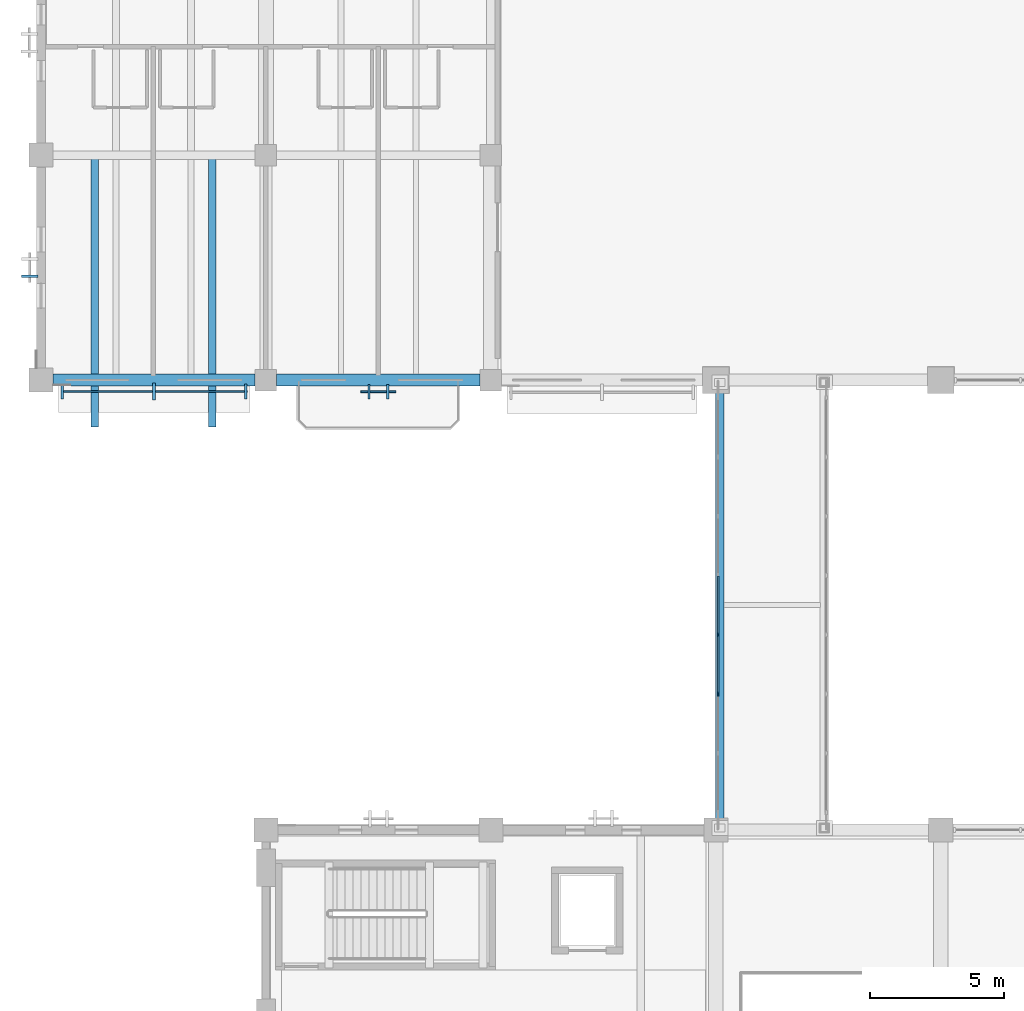
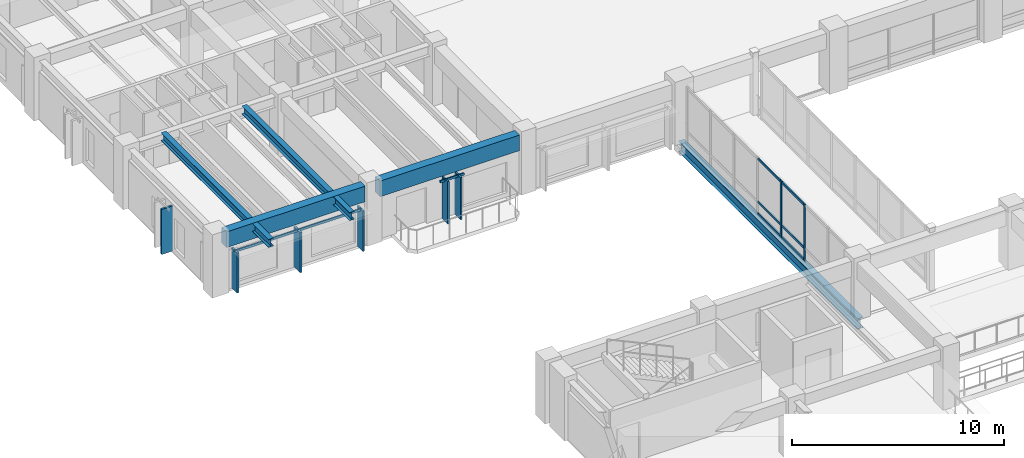
# One storey, part 27 of 118: 16 members, 5 beams, 4 elements without a shape of their own.
"""IFC4 building model written with IfcOpenShell, lengths in metres."""

from ifc_helpers import new_model, si_unit, direction, frame, origin, origin_2d, place, context, subcontext, project, spatial, rectangle, i_section, extrude, material, material_profile, profile_set, type_object, element, aggregate, save


model = new_model("IFC4")

# Units and contexts
model_context = context("Model", 3, precision=1e-05, world=origin(), true_north=direction((0.0, 1.0)))
body_context = subcontext(model_context, "Body", "Model", "MODEL_VIEW")
ifc_project = project(units=[si_unit("LENGTHUNIT", "METRE"), si_unit("AREAUNIT", "SQUARE_METRE"), si_unit("VOLUMEUNIT", "CUBIC_METRE"), si_unit("PLANEANGLEUNIT", "RADIAN"), si_unit("MASSUNIT", "GRAM", prefix="KILO")], contexts=[model_context])

# Site, building, storey
site_placement = place(None, origin())
site = spatial("IfcSite", under=ifc_project, at=site_placement, CompositionType="ELEMENT")
building_placement = place(site_placement, origin())
building = spatial("IfcBuilding", under=site, at=building_placement, Name="Cumbredor Promenade Congress Hotel", CompositionType="ELEMENT")
storey_placement = place(building_placement, frame((0.0, 0.0, 3.919921875)))
storey = spatial("IfcBuildingStorey", under=building, at=storey_placement, Name="L01", CompositionType="ELEMENT", Elevation=3.919921875)

# Beam
ifc_material_1 = material(Name="Steel ASTM A992 Grade 50", Category="steel")
ifc_material_profile_1 = material_profile(ifc_material_1, i_section(OverallWidth=0.323974609375, OverallDepth=0.611083984375, WebThickness=0.0126953125, FlangeThickness=0.01904296875, at=origin_2d()), Name="W24X104")
ifc_profile_set_1 = profile_set([ifc_material_profile_1], Name="Steel ASTM A992 Grade 50")
beam_type_1 = type_object("IfcBeamType", Name="BM-W24X104", PredefinedType="BEAM", material=ifc_profile_set_1)
beam_1_placement = place(storey_placement, frame((25.35009765625, 67.159912109375, -0.525390625), z_axis=(0.0, 1.0, 0.0), x_axis=(-1.0, 0.0, 0.0)))
element("IfcBeam", 1, at=beam_1_placement, inside=storey, type_object=beam_type_1, Name="L01 West Congress-to-Hotel Glazed Bridge Edge Girder 1", PredefinedType="BEAM", context=body_context, shape_type="SweptSolid", body=[
    extrude(i_section(OverallWidth=0.323974609375, OverallDepth=0.611083984375, WebThickness=0.0126953125, FlangeThickness=0.01904296875, at=origin_2d()), origin(), (0.0, 0.0, 1.0), 16.880126953125),
])

# Curtain wall, members
ifc_material_2 = material(Name="Thermally broken anodized aluminium and low-E glass", Category="aluminium")
curtain_wall_type_1 = type_object("IfcCurtainWallType", Name="Unitised Bridge Glazing Screen CW-05", PredefinedType="NOTDEFINED", material=ifc_material_2)
curtain_wall_1_placement = place(storey_placement, origin())
curtain_wall_1 = element("IfcCurtainWall", 2, at=curtain_wall_1_placement, inside=storey, type_object=curtain_wall_type_1, Name="L01 West Congress-to-Hotel Glazed Bridge West Glazing Screen", PredefinedType="NOTDEFINED")
ifc_material_3 = material(Name="Thermally broken anodized aluminium", Category="aluminium")
ifc_material_profile_2 = material_profile(ifc_material_3, rectangle(XDim=0.06494140625, YDim=0.159912109375, at=origin_2d()), Name="ALU MULLION 65x160")
ifc_profile_set_2 = profile_set([ifc_material_profile_2], Name="Thermally broken anodized aluminium")
member_type_1 = type_object("IfcMemberType", Name="Curtain Wall Mullion ML-01", PredefinedType="MULLION", material=ifc_profile_set_2)
member_1_placement = place(storey_placement, frame((25.280029296875, 72.282958984375, -0.0078125), z_axis=(0.0, 0.0, 1.0), x_axis=(1.0, 0.0, 0.0)))
member_1 = element("IfcMember", 3, at=member_1_placement, type_object=member_type_1, Name="L01 West Congress-to-Hotel Glazed Bridge West Glazing Screen Mullion 3", PredefinedType="MULLION", context=body_context, shape_type="SweptSolid", body=[
    extrude(rectangle(XDim=0.06494140625, YDim=0.159912109375, at=origin_2d()), origin(), (0.0, 0.0, 1.0), 3.27587890625),
])
member_2_placement = place(storey_placement, frame((25.280029296875, 74.494384765625, -0.0078125), z_axis=(0.0, 0.0, 1.0), x_axis=(1.0, 0.0, 0.0)))
member_2 = element("IfcMember", 4, at=member_2_placement, type_object=member_type_1, Name="L01 West Congress-to-Hotel Glazed Bridge West Glazing Screen Mullion 4", PredefinedType="MULLION", context=body_context, shape_type="SweptSolid", body=[
    extrude(rectangle(XDim=0.06494140625, YDim=0.159912109375, at=origin_2d()), origin(), (0.0, 0.0, 1.0), 3.27587890625),
])

# Curtain wall, member
curtain_wall_type_2 = type_object("IfcCurtainWallType", Name="Solar Brise-Soleil Screen Assembly CW-07", PredefinedType="NOTDEFINED", material=ifc_material_2)
curtain_wall_2_placement = place(storey_placement, origin())
curtain_wall_2 = element("IfcCurtainWall", 5, at=curtain_wall_2_placement, inside=storey, type_object=curtain_wall_type_2, Name="L01 Hospitality Brise-Soleil Screen 017", PredefinedType="NOTDEFINED")
ifc_material_profile_3 = material_profile(ifc_material_3, rectangle(XDim=0.06494140625, YDim=0.1298828125, at=origin_2d()), Name="ALU TRANSOM 65x130")
ifc_profile_set_3 = profile_set([ifc_material_profile_3], Name="Thermally broken anodized aluminium")
member_type_2 = type_object("IfcMemberType", Name="Curtain Wall Transom TR-01", PredefinedType="USERDEFINED", material=ifc_profile_set_3)
member_3_placement = place(storey_placement, frame((0.7509765625, 83.577392578125, 2.26513671875), z_axis=(1.0, 0.0, 0.0), x_axis=(0.0, 1.0, 0.0)))
member_3 = element("IfcMember", 6, at=member_3_placement, type_object=member_type_2, Name="L01 Brise-Soleil Screen Transom 017", ObjectType="TRANSOM", PredefinedType="USERDEFINED", context=body_context, shape_type="SweptSolid", body=[
    extrude(rectangle(XDim=0.06494140625, YDim=0.1298828125, at=origin_2d()), origin(), (0.0, 0.0, 1.0), 6.947998046875),
])

curtain_wall_3_placement = place(storey_placement, origin())
curtain_wall_3 = element("IfcCurtainWall", 7, at=curtain_wall_3_placement, inside=storey, type_object=curtain_wall_type_2, Name="L01 Veranda Solar Brise-Soleil Screen 286", PredefinedType="NOTDEFINED")
member_4_placement = place(storey_placement, frame((11.949951171875, 83.56494140625, 2.364990234375), z_axis=(1.0, 0.0, 0.0), x_axis=(0.0, 1.0, 0.0)))
member_4 = element("IfcMember", 8, at=member_4_placement, type_object=member_type_2, Name="L01 Brise-Soleil Header Tie 0288", ObjectType="TRANSOM", PredefinedType="USERDEFINED", context=body_context, shape_type="SweptSolid", body=[
    extrude(rectangle(XDim=0.06494140625, YDim=0.1298828125, at=origin_2d()), origin(), (0.0, 0.0, 1.0), 1.300048828125),
])

# Member
member_5_placement = place(storey_placement, frame((25.280029296875, 72.3154296875, 0.06005859375), z_axis=(0.0, 1.0, 0.0), x_axis=(-1.0, 0.0, 0.0)))
member_5 = element("IfcMember", 9, at=member_5_placement, type_object=member_type_2, Name="L01 West Congress-to-Hotel Glazed Bridge West Glazing Screen Transom 3.1", ObjectType="TRANSOM", PredefinedType="USERDEFINED", context=body_context, shape_type="SweptSolid", body=[
    extrude(rectangle(XDim=0.06494140625, YDim=0.1298828125, at=origin_2d()), origin(), (0.0, 0.0, 1.0), 2.146484375),
])

member_6_placement = place(storey_placement, frame((25.280029296875, 72.3154296875, 0.719970703125), z_axis=(0.0, 1.0, 0.0), x_axis=(-1.0, 0.0, 0.0)))
member_6 = element("IfcMember", 10, at=member_6_placement, type_object=member_type_2, Name="L01 West Congress-to-Hotel Glazed Bridge West Glazing Screen Transom 3.2", ObjectType="TRANSOM", PredefinedType="USERDEFINED", context=body_context, shape_type="SweptSolid", body=[
    extrude(rectangle(XDim=0.06494140625, YDim=0.1298828125, at=origin_2d()), origin(), (0.0, 0.0, 1.0), 2.146484375),
])

member_7_placement = place(storey_placement, frame((25.280029296875, 72.3154296875, 3.190185546875), z_axis=(0.0, 1.0, 0.0), x_axis=(-1.0, 0.0, 0.0)))
member_7 = element("IfcMember", 11, at=member_7_placement, type_object=member_type_2, Name="L01 West Congress-to-Hotel Glazed Bridge West Glazing Screen Transom 3.3", ObjectType="TRANSOM", PredefinedType="USERDEFINED", context=body_context, shape_type="SweptSolid", body=[
    extrude(rectangle(XDim=0.06494140625, YDim=0.1298828125, at=origin_2d()), origin(), (0.0, 0.0, 1.0), 2.146484375),
])

member_8_placement = place(storey_placement, frame((25.280029296875, 74.52685546875, 0.06005859375), z_axis=(0.0, 1.0, 0.0), x_axis=(-1.0, 0.0, 0.0)))
member_8 = element("IfcMember", 12, at=member_8_placement, type_object=member_type_2, Name="L01 West Congress-to-Hotel Glazed Bridge West Glazing Screen Transom 4.1", ObjectType="TRANSOM", PredefinedType="USERDEFINED", context=body_context, shape_type="SweptSolid", body=[
    extrude(rectangle(XDim=0.06494140625, YDim=0.1298828125, at=origin_2d()), origin(), (0.0, 0.0, 1.0), 2.146240234375),
])

member_9_placement = place(storey_placement, frame((25.280029296875, 74.52685546875, 0.719970703125), z_axis=(0.0, 1.0, 0.0), x_axis=(-1.0, 0.0, 0.0)))
member_9 = element("IfcMember", 13, at=member_9_placement, type_object=member_type_2, Name="L01 West Congress-to-Hotel Glazed Bridge West Glazing Screen Transom 4.2", ObjectType="TRANSOM", PredefinedType="USERDEFINED", context=body_context, shape_type="SweptSolid", body=[
    extrude(rectangle(XDim=0.06494140625, YDim=0.1298828125, at=origin_2d()), origin(), (0.0, 0.0, 1.0), 2.146240234375),
])

member_10_placement = place(storey_placement, frame((25.280029296875, 74.52685546875, 3.190185546875), z_axis=(0.0, 1.0, 0.0), x_axis=(-1.0, 0.0, 0.0)))
member_10 = element("IfcMember", 14, at=member_10_placement, type_object=member_type_2, Name="L01 West Congress-to-Hotel Glazed Bridge West Glazing Screen Transom 4.3", ObjectType="TRANSOM", PredefinedType="USERDEFINED", context=body_context, shape_type="SweptSolid", body=[
    extrude(rectangle(XDim=0.06494140625, YDim=0.1298828125, at=origin_2d()), origin(), (0.0, 0.0, 1.0), 2.146240234375),
])

aggregate(curtain_wall_1, [member_1, member_2, member_5, member_6, member_7, member_8, member_9, member_10])

# Beams
ifc_material_profile_4 = material_profile(ifc_material_1, i_section(OverallWidth=0.280029296875, OverallDepth=0.462890625, WebThickness=0.0107421875, FlangeThickness=0.017333984375, at=origin_2d()), Name="W18X76")
ifc_profile_set_4 = profile_set([ifc_material_profile_4], Name="Steel ASTM A992 Grade 50")
beam_type_2 = type_object("IfcBeamType", Name="JST-W18X76", PredefinedType="JOIST", material=ifc_profile_set_4)
for number, where, z_axis, x_axis, name in (
    (15, (2.0, 82.25, 3.128662109375), (0.0, 1.0, 0.0), (-1.0, 0.0, 0.0), "L02 Balcony Back-Spanned Outrigger Beam 009.1"),
    (16, (6.39990234375, 82.25, 3.128662109375), (0.0, 1.0, 0.0), (-1.0, 0.0, 0.0), "L02 Balcony Back-Spanned Outrigger Beam 009.2"),
):
    element("IfcBeam", number, at=place(storey_placement, frame(where, z_axis=z_axis, x_axis=x_axis)), inside=storey, type_object=beam_type_2, Name=name, PredefinedType="JOIST", context=body_context, shape_type="SweptSolid", body=[
        extrude(i_section(OverallWidth=0.280029296875, OverallDepth=0.462890625, WebThickness=0.0107421875, FlangeThickness=0.017333984375, at=origin_2d()), origin(), (0.0, 0.0, 1.0), 10.14990234375),
    ])
ifc_material_4 = material(Name="Concrete C40/50", Category="concrete")
ifc_material_profile_5 = material_profile(ifc_material_4, rectangle(XDim=0.449951171875, YDim=0.89990234375, at=origin_2d()), Name="RC SPANDREL 450x900")
ifc_profile_set_5 = profile_set([ifc_material_profile_5], Name="Concrete C40/50")
beam_type_3 = type_object("IfcBeamType", Name="SP-RC-450x900", PredefinedType="SPANDREL", material=ifc_profile_set_5)
beam_2_placement = place(storey_placement, frame((0.449951171875, 84.0, 2.91015625), z_axis=(1.0, 0.0, 0.0), x_axis=(0.0, 1.0, 0.0)))
element("IfcBeam", 17, at=beam_2_placement, inside=storey, type_object=beam_type_3, Name="L02 X-Grid Beam 001", PredefinedType="SPANDREL", context=body_context, shape_type="SweptSolid", body=[
    extrude(rectangle(XDim=0.449951171875, YDim=0.89990234375, at=origin_2d()), origin(), (0.0, 0.0, 1.0), 7.550048828125),
])
beam_3_placement = place(storey_placement, frame((8.800048828125, 84.0, 2.91015625), z_axis=(1.0, 0.0, 0.0), x_axis=(0.0, 1.0, 0.0)))
element("IfcBeam", 18, at=beam_3_placement, inside=storey, type_object=beam_type_3, Name="L02 X-Grid Beam 025", PredefinedType="SPANDREL", context=body_context, shape_type="SweptSolid", body=[
    extrude(rectangle(XDim=0.449951171875, YDim=0.89990234375, at=origin_2d()), origin(), (0.0, 0.0, 1.0), 7.599853515625),
])

# Member
ifc_material_profile_6 = material_profile(ifc_material_3, rectangle(XDim=0.110107421875, YDim=0.6201171875, at=origin_2d()), Name="ARCH FIN 110x620")
ifc_profile_set_6 = profile_set([ifc_material_profile_6], Name="Thermally broken anodized aluminium")
member_type_3 = type_object("IfcMemberType", Name="Vertical Bronze Brise-Soleil Fin BSF-02 110x620", PredefinedType="USERDEFINED", material=ifc_profile_set_6)
member_11_placement = place(storey_placement, frame((4.22509765625, 83.577392578125, 0.02001953125), z_axis=(0.0, 0.0, 1.0), x_axis=(1.0, 0.0, 0.0)))
member_11 = element("IfcMember", 19, at=member_11_placement, type_object=member_type_3, Name="L01 Vertical Brise-Soleil Fin 0284", ObjectType="SOLAR FIN", PredefinedType="USERDEFINED", context=body_context, shape_type="SweptSolid", body=[
    extrude(rectangle(XDim=0.110107421875, YDim=0.6201171875, at=origin_2d()), origin(), (0.0, 0.0, 1.0), 2.30517578125),
])

# Curtain wall, member
curtain_wall_4_placement = place(storey_placement, origin())
curtain_wall_4 = element("IfcCurtainWall", 20, at=curtain_wall_4_placement, inside=storey, type_object=curtain_wall_type_2, Name="L01 Pier Brise-Soleil Screen 0331", PredefinedType="NOTDEFINED")
member_12_placement = place(storey_placement, frame((-0.422607421875, 87.8798828125, 0.02001953125), z_axis=(0.0, 0.0, 1.0), x_axis=(0.0, 1.0, 0.0)))
member_12 = element("IfcMember", 21, at=member_12_placement, type_object=member_type_3, Name="L01 Pier Brise-Soleil Fin 0332", ObjectType="SOLAR FIN", PredefinedType="USERDEFINED", context=body_context, shape_type="SweptSolid", body=[
    extrude(rectangle(XDim=0.110107421875, YDim=0.6201171875, at=origin_2d()), origin(), (0.0, 0.0, 1.0), 2.593994140625),
])
aggregate(curtain_wall_4, [member_12])

# Member
ifc_material_5 = material(Name="Kiln-dried tropical hardwood", Category="wood")
ifc_material_profile_7 = material_profile(ifc_material_5, rectangle(XDim=0.090087890625, YDim=0.550048828125, at=origin_2d()), Name="ARCH FIN 90x550")
ifc_profile_set_7 = profile_set([ifc_material_profile_7], Name="Kiln-dried tropical hardwood")
member_type_4 = type_object("IfcMemberType", Name="Vertical Hardwood Brise-Soleil Fin BSF-01 90x550", PredefinedType="USERDEFINED", material=ifc_profile_set_7)
member_13_placement = place(storey_placement, frame((0.801025390625, 83.577392578125, 0.02001953125), z_axis=(0.0, 0.0, 1.0), x_axis=(1.0, 0.0, 0.0)))
member_13 = element("IfcMember", 22, at=member_13_placement, type_object=member_type_4, Name="L01 Vertical Brise-Soleil Fin 0283", ObjectType="SOLAR FIN", PredefinedType="USERDEFINED", context=body_context, shape_type="SweptSolid", body=[
    extrude(rectangle(XDim=0.090087890625, YDim=0.550048828125, at=origin_2d()), origin(), (0.0, 0.0, 1.0), 2.30517578125),
])

member_14_placement = place(storey_placement, frame((7.64892578125, 83.577392578125, 0.02001953125), z_axis=(0.0, 0.0, 1.0), x_axis=(1.0, 0.0, 0.0)))
member_14 = element("IfcMember", 23, at=member_14_placement, type_object=member_type_4, Name="L01 Vertical Brise-Soleil Fin 0285", ObjectType="SOLAR FIN", PredefinedType="USERDEFINED", context=body_context, shape_type="SweptSolid", body=[
    extrude(rectangle(XDim=0.090087890625, YDim=0.550048828125, at=origin_2d()), origin(), (0.0, 0.0, 1.0), 2.30517578125),
])

aggregate(curtain_wall_2, [member_3, member_13, member_11, member_14])

member_15_placement = place(storey_placement, frame((12.25, 83.56494140625, -0.010009765625), z_axis=(0.0, 0.0, 1.0), x_axis=(1.0, 0.0, 0.0)))
member_15 = element("IfcMember", 24, at=member_15_placement, type_object=member_type_4, Name="L01 Vertical Hardwood Brise-Soleil Fin 0287", ObjectType="SOLAR FIN", PredefinedType="USERDEFINED", context=body_context, shape_type="SweptSolid", body=[
    extrude(rectangle(XDim=0.090087890625, YDim=0.550048828125, at=origin_2d()), origin(), (0.0, 0.0, 1.0), 2.43505859375),
])

member_16_placement = place(storey_placement, frame((12.949951171875, 83.56494140625, -0.010009765625), z_axis=(0.0, 0.0, 1.0), x_axis=(1.0, 0.0, 0.0)))
member_16 = element("IfcMember", 25, at=member_16_placement, type_object=member_type_4, Name="L01 Vertical Hardwood Brise-Soleil Fin 0288", ObjectType="SOLAR FIN", PredefinedType="USERDEFINED", context=body_context, shape_type="SweptSolid", body=[
    extrude(rectangle(XDim=0.090087890625, YDim=0.550048828125, at=origin_2d()), origin(), (0.0, 0.0, 1.0), 2.43505859375),
])

aggregate(curtain_wall_3, [member_15, member_16, member_4])

save(model, "model.ifc")
